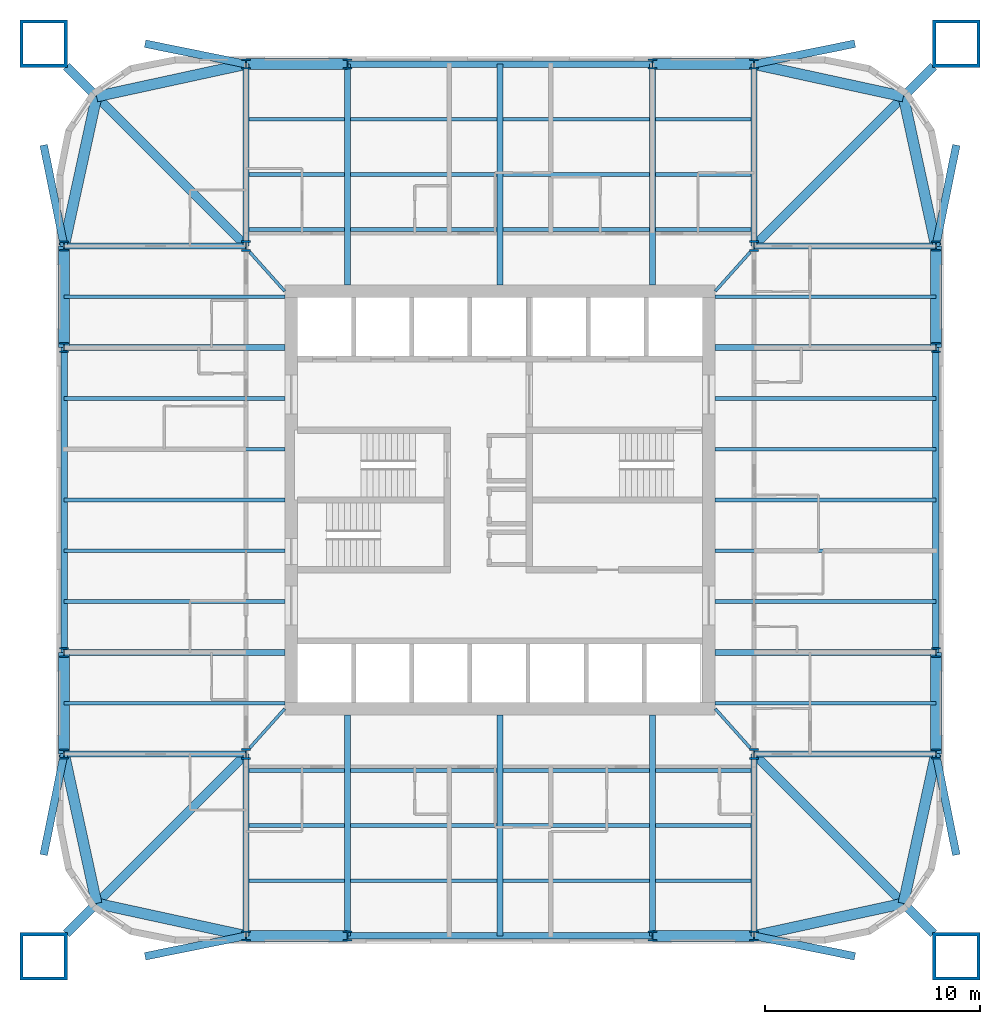
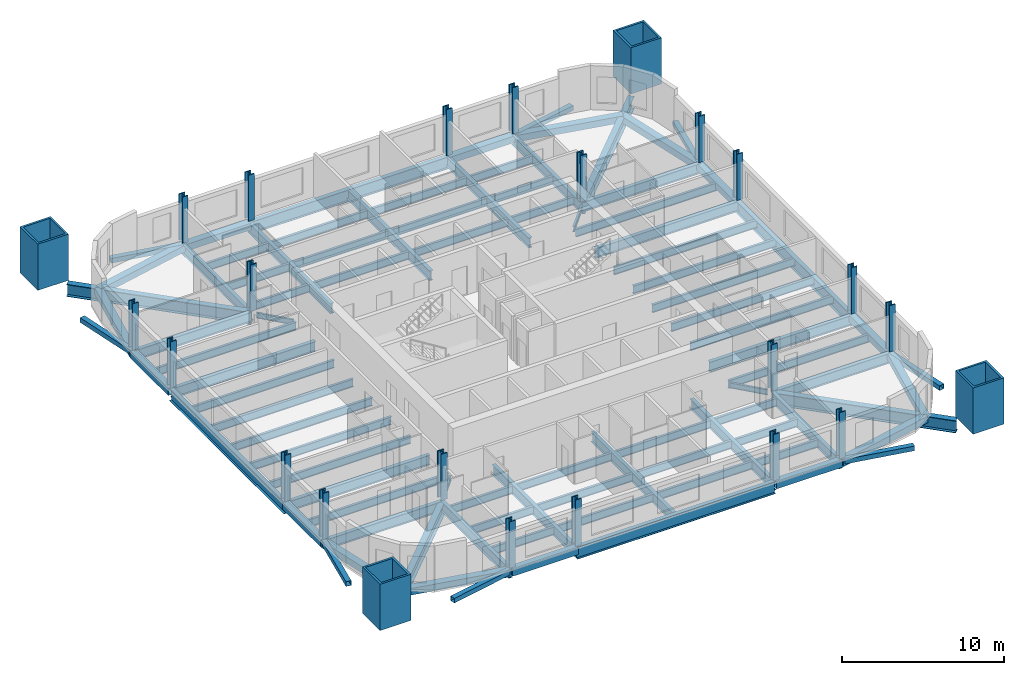
# One storey, part 1 of 9: 92 beams, 24 columns.
"""IFC4 building model written with IfcOpenShell, lengths in metres."""

from ifc_helpers import new_model, si_unit, direction, frame, origin, origin_2d, place, context, subcontext, project, spatial, hollow_rectangle, i_section, extrude, material, material_profile, profile_set, type_object, element, save


model = new_model("IFC4")

# Units and contexts
model_context = context("Model", 3, precision=1e-05, world=origin(), true_north=direction((0.0, 1.0)))
body_context = subcontext(model_context, "Body", "Model", "MODEL_VIEW")
ifc_project = project(units=[si_unit("LENGTHUNIT", "METRE"), si_unit("AREAUNIT", "SQUARE_METRE"), si_unit("VOLUMEUNIT", "CUBIC_METRE"), si_unit("PLANEANGLEUNIT", "RADIAN"), si_unit("MASSUNIT", "GRAM", prefix="KILO")], contexts=[model_context])

# Site, building, storey
site_placement = place(None, origin())
site = spatial("IfcSite", under=ifc_project, at=site_placement, CompositionType="ELEMENT")
building_placement = place(site_placement, origin())
building = spatial("IfcBuilding", under=site, at=building_placement, Name="Turquesa Mirador Hotel Tower", CompositionType="ELEMENT")
storey_placement = place(building_placement, frame((0.0, 0.0, 100.39990234375)))
storey = spatial("IfcBuildingStorey", under=building, at=storey_placement, Name="L26", CompositionType="ELEMENT", Elevation=100.39990234375)

# Columns
ifc_material_1 = material(Name="Steel ASTM A992 Grade 50", Category="steel")
ifc_material_profile_1 = material_profile(ifc_material_1, i_section(OverallWidth=0.421630859375, OverallDepth=0.46484375, WebThickness=0.044921875, FlangeThickness=0.072509765625, at=origin_2d()), Name="W14X398")
ifc_profile_set_1 = profile_set([ifc_material_profile_1], Name="Steel ASTM A992 Grade 50")
column_type_1 = type_object("IfcColumnType", Name="COLUMN W14X398", PredefinedType="COLUMN", material=ifc_profile_set_1)
for number, where, z_axis, x_axis, name in (
    (1, (34.75, 33.199951171875, 0.0), (0.0, 0.0, 1.0), (1.0, 0.0, 0.0), "COL-L26-P--20.25--11.80"),
    (2, (34.75, 37.919921875, 0.0), (0.0, 0.0, 1.0), (1.0, 0.0, 0.0), "COL-L26-P--20.25--7.08"),
    (3, (34.75, 52.080078125, 0.0), (0.0, 0.0, 1.0), (1.0, 0.0, 0.0), "COL-L26-P--20.25-+7.08"),
    (4, (34.75, 56.800048828125, 0.0), (0.0, 0.0, 1.0), (1.0, 0.0, 0.0), "COL-L26-P--20.25-+11.80"),
    (5, (43.199951171875, 24.75, 0.0), (0.0, 0.0, 1.0), (1.0, 0.0, 0.0), "COL-L26-P--11.80--20.25"),
    (6, (43.199951171875, 65.25, 0.0), (0.0, 0.0, 1.0), (1.0, 0.0, 0.0), "COL-L26-P--11.80-+20.25"),
    (7, (47.919921875, 24.75, 0.0), (0.0, 0.0, 1.0), (1.0, 0.0, 0.0), "COL-L26-P--7.08--20.25"),
    (8, (47.919921875, 65.25, 0.0), (0.0, 0.0, 1.0), (1.0, 0.0, 0.0), "COL-L26-P--7.08-+20.25"),
    (9, (62.080078125, 24.75, 0.0), (0.0, 0.0, 1.0), (1.0, 0.0, 0.0), "COL-L26-P-+7.08--20.25"),
    (10, (62.080078125, 65.25, 0.0), (0.0, 0.0, 1.0), (1.0, 0.0, 0.0), "COL-L26-P-+7.08-+20.25"),
    (11, (66.800048828125, 24.75, 0.0), (0.0, 0.0, 1.0), (1.0, 0.0, 0.0), "COL-L26-P-+11.80--20.25"),
    (12, (66.800048828125, 65.25, 0.0), (0.0, 0.0, 1.0), (1.0, 0.0, 0.0), "COL-L26-P-+11.80-+20.25"),
    (13, (75.25, 33.199951171875, 0.0), (0.0, 0.0, 1.0), (1.0, 0.0, 0.0), "COL-L26-P-+20.25--11.80"),
    (14, (75.25, 37.919921875, 0.0), (0.0, 0.0, 1.0), (1.0, 0.0, 0.0), "COL-L26-P-+20.25--7.08"),
    (15, (75.25, 52.080078125, 0.0), (0.0, 0.0, 1.0), (1.0, 0.0, 0.0), "COL-L26-P-+20.25-+7.08"),
    (16, (75.25, 56.800048828125, 0.0), (0.0, 0.0, 1.0), (1.0, 0.0, 0.0), "COL-L26-P-+20.25-+11.80"),
):
    element("IfcColumn", number, at=place(storey_placement, frame(where, z_axis=z_axis, x_axis=x_axis)), inside=storey, type_object=column_type_1, Name=name, PredefinedType="COLUMN", context=body_context, shape_type="SweptSolid", body=[
        extrude(i_section(OverallWidth=0.421630859375, OverallDepth=0.46484375, WebThickness=0.044921875, FlangeThickness=0.072509765625, at=origin_2d()), origin(), (0.0, 0.0, 1.0), 3.5),
    ])
ifc_material_2 = material(Name="Steel ASTM A992 Grade 50", Category="steel")
ifc_material_profile_2 = material_profile(ifc_material_2, i_section(OverallWidth=0.431884765625, OverallDepth=0.497802734375, WebThickness=0.0556640625, FlangeThickness=0.0888671875, at=origin_2d()), Name="W14X500")
ifc_profile_set_2 = profile_set([ifc_material_profile_2], Name="Steel ASTM A992 Grade 50")
column_type_2 = type_object("IfcColumnType", Name="COLUMN W14X500", PredefinedType="COLUMN", material=ifc_profile_set_2)
for number, where, z_axis, x_axis, name in (
    (17, (43.199951171875, 33.199951171875, 0.0), (0.0, 0.0, 1.0), (1.0, 0.0, 0.0), "COL-L26-K--11.80--11.80"),
    (18, (43.199951171875, 56.800048828125, 0.0), (0.0, 0.0, 1.0), (1.0, 0.0, 0.0), "COL-L26-K--11.80-+11.80"),
    (19, (66.800048828125, 33.199951171875, 0.0), (0.0, 0.0, 1.0), (1.0, 0.0, 0.0), "COL-L26-K-+11.80--11.80"),
    (20, (66.800048828125, 56.800048828125, 0.0), (0.0, 0.0, 1.0), (1.0, 0.0, 0.0), "COL-L26-K-+11.80-+11.80"),
):
    element("IfcColumn", number, at=place(storey_placement, frame(where, z_axis=z_axis, x_axis=x_axis)), inside=storey, type_object=column_type_2, Name=name, PredefinedType="COLUMN", context=body_context, shape_type="SweptSolid", body=[
        extrude(i_section(OverallWidth=0.431884765625, OverallDepth=0.497802734375, WebThickness=0.0556640625, FlangeThickness=0.0888671875, at=origin_2d()), origin(), (0.0, 0.0, 1.0), 3.5),
    ])
ifc_material_3 = material(Name="Steel ASTM A514 Grade Q", Category="steel")
ifc_material_profile_3 = material_profile(ifc_material_3, hollow_rectangle(XDim=2.199951171875, YDim=2.199951171875, WallThickness=0.14990234375, at=origin_2d()), Name="BOX2200X2200X150")
ifc_profile_set_3 = profile_set([ifc_material_profile_3], Name="Steel ASTM A514 Grade Q")
column_type_3 = type_object("IfcColumnType", Name="MEGA COLUMN BOX2200X2200X150", PredefinedType="COLUMN", material=ifc_profile_set_3)
for number, where, z_axis, x_axis, name in (
    (21, (76.199951171875, 66.199951171875, 0.0), (0.0, 0.0, 1.0), (1.0, 0.0, 0.0), "Mega column M1"),
    (22, (33.800048828125, 66.199951171875, 0.0), (0.0, 0.0, 1.0), (1.0, 0.0, 0.0), "Mega column M2"),
    (23, (33.800048828125, 23.800048828125, 0.0), (0.0, 0.0, 1.0), (1.0, 0.0, 0.0), "Mega column M3"),
    (24, (76.199951171875, 23.800048828125, 0.0), (0.0, 0.0, 1.0), (1.0, 0.0, 0.0), "Mega column M4"),
):
    element("IfcColumn", number, at=place(storey_placement, frame(where, z_axis=z_axis, x_axis=x_axis)), inside=storey, type_object=column_type_3, Name=name, PredefinedType="COLUMN", context=body_context, shape_type="SweptSolid", body=[
        extrude(hollow_rectangle(XDim=2.199951171875, YDim=2.199951171875, WallThickness=0.14990234375, at=origin_2d()), origin(), (0.0, 0.0, 1.0), 3.5),
    ])

# Beams
ifc_material_4 = material(Name="Steel ASTM A572 Grade 50", Category="steel")
ifc_material_profile_4 = material_profile(ifc_material_4, hollow_rectangle(XDim=0.5, YDim=0.5, WallThickness=0.01611328125, at=origin_2d()), Name="BOX500X500X16")
ifc_profile_set_4 = profile_set([ifc_material_profile_4], Name="Steel ASTM A572 Grade 50")
beam_type_1 = type_object("IfcBeamType", Name="BEAM BOX500X500X16", PredefinedType="BEAM", material=ifc_profile_set_4)
for number, where, z_axis, x_axis, name in (
    (25, (43.199951171875, 65.25, -0.419921875), (1.0, 0.0, 0.0), (0.0, 1.0, 0.0), "EB-L26-N-L"),
    (26, (62.080078125, 65.25, -0.419921875), (1.0, 0.0, 0.0), (0.0, 1.0, 0.0), "EB-L26-N-R"),
    (27, (43.199951171875, 24.75, -0.419921875), (1.0, 0.0, 0.0), (0.0, 1.0, 0.0), "EB-L26-S-L"),
    (28, (62.080078125, 24.75, -0.419921875), (1.0, 0.0, 0.0), (0.0, 1.0, 0.0), "EB-L26-S-R"),
    (29, (75.25, 33.199951171875, -0.419921875), (0.0, 1.0, 0.0), (-1.0, 0.0, 0.0), "EB-L26-E-L"),
    (30, (75.25, 52.080078125, -0.419921875), (0.0, 1.0, 0.0), (-1.0, 0.0, 0.0), "EB-L26-E-R"),
    (31, (34.75, 33.199951171875, -0.419921875), (0.0, 1.0, 0.0), (-1.0, 0.0, 0.0), "EB-L26-W-L"),
    (32, (34.75, 52.080078125, -0.419921875), (0.0, 1.0, 0.0), (-1.0, 0.0, 0.0), "EB-L26-W-R"),
):
    element("IfcBeam", number, at=place(storey_placement, frame(where, z_axis=z_axis, x_axis=x_axis)), inside=storey, type_object=beam_type_1, Name=name, PredefinedType="BEAM", context=body_context, shape_type="SweptSolid", body=[
        extrude(hollow_rectangle(XDim=0.5, YDim=0.5, WallThickness=0.01611328125, at=origin_2d()), origin(), (0.0, 0.0, 1.0), 4.719970703125),
    ])
for number, where, z_axis, x_axis, name in (
    (33, (75.25, 56.800048828125, -0.419921875), (-0.212328336885, 0.977198381781, 0.0), (-0.977198381781, -0.212328336885, 0.0), "KE-L26-1-0"),
    (34, (73.74169921875, 63.74169921875, -0.419921875), (-0.977198381781, 0.212328336885, 0.0), (-0.212328336885, -0.977198381781, 0.0), "KE-L26-1-1"),
    (35, (34.75, 56.800048828125, -0.419921875), (0.212328336885, 0.977198381781, 0.0), (-0.977198381781, 0.212328336885, 0.0), "KE-L26-2-0"),
    (36, (36.25830078125, 63.74169921875, -0.419921875), (0.977198381781, 0.212328336885, 0.0), (-0.212328336885, 0.977198381781, 0.0), "KE-L26-2-1"),
    (37, (34.75, 33.199951171875, -0.419921875), (0.212328336885, -0.977198381781, 0.0), (0.977198381781, 0.212328336885, 0.0), "KE-L26-3-0"),
    (38, (36.25830078125, 26.25830078125, -0.419921875), (0.977198381781, -0.212328336885, 0.0), (0.212328336885, 0.977198381781, 0.0), "KE-L26-3-1"),
    (39, (75.25, 33.199951171875, -0.419921875), (-0.212328336885, -0.977198381781, 0.0), (0.977198381781, -0.212328336885, 0.0), "KE-L26-4-0"),
    (40, (73.74169921875, 26.25830078125, -0.419921875), (-0.977198381781, -0.212328336885, 0.0), (0.212328336885, -0.977198381781, 0.0), "KE-L26-4-1"),
):
    element("IfcBeam", number, at=place(storey_placement, frame(where, z_axis=z_axis, x_axis=x_axis)), inside=storey, type_object=beam_type_1, Name=name, PredefinedType="BEAM", context=body_context, shape_type="SweptSolid", body=[
        extrude(hollow_rectangle(XDim=0.5, YDim=0.5, WallThickness=0.01611328125, at=origin_2d()), origin(), (0.0, 0.0, 1.0), 7.103515625),
    ])
ifc_material_5 = material(Name="Steel ASTM A992 Grade 50", Category="steel")
ifc_material_profile_5 = material_profile(ifc_material_5, i_section(OverallWidth=0.140380859375, OverallDepth=0.40380859375, WebThickness=0.007080078125, FlangeThickness=0.01123046875, at=origin_2d()), Name="W16X31")
ifc_profile_set_5 = profile_set([ifc_material_profile_5], Name="Steel ASTM A992 Grade 50")
beam_type_2 = type_object("IfcBeamType", Name="BEAM W16X31", PredefinedType="BEAM", material=ifc_profile_set_5)
for number, where, z_axis, x_axis, name in (
    (41, (66.626953125, 56.518310546875, -0.371826171875), (-0.66679485947, -0.745241313525, 0.0), (0.745241313525, -0.66679485947, 0.0), "KT-L26-1"),
    (42, (43.373046875, 56.518310546875, -0.371826171875), (0.66679485947, -0.745241313525, 0.0), (0.745241313525, 0.66679485947, 0.0), "KT-L26-2"),
    (43, (43.373046875, 33.481689453125, -0.371826171875), (0.66679485947, 0.745241313525, 0.0), (-0.745241313525, 0.66679485947, 0.0), "KT-L26-3"),
    (44, (66.626953125, 33.481689453125, -0.371826171875), (-0.66679485947, 0.745241313525, 0.0), (-0.745241313525, -0.66679485947, 0.0), "KT-L26-4"),
):
    element("IfcBeam", number, at=place(storey_placement, frame(where, z_axis=z_axis, x_axis=x_axis)), inside=storey, type_object=beam_type_2, Name=name, PredefinedType="BEAM", context=body_context, shape_type="SweptSolid", body=[
        extrude(i_section(OverallWidth=0.140380859375, OverallDepth=0.40380859375, WebThickness=0.007080078125, FlangeThickness=0.01123046875, at=origin_2d()), origin(), (0.0, 0.0, 1.0), 2.43994140625),
    ])
ifc_material_6 = material(Name="Steel ASTM A992 Grade 50", Category="steel")
ifc_material_profile_6 = material_profile(ifc_material_6, i_section(OverallWidth=0.177978515625, OverallDepth=0.599365234375, WebThickness=0.010009765625, FlangeThickness=0.012939453125, at=origin_2d()), Name="W24X55")
ifc_profile_set_6 = profile_set([ifc_material_profile_6], Name="Steel ASTM A992 Grade 50")
beam_type_3 = type_object("IfcBeamType", Name="BEAM W24X55", PredefinedType="BEAM", material=ifc_profile_set_6)
beam_1_placement = place(storey_placement, frame((43.333251953125, 57.56201171875, -0.4697265625), z_axis=(1.0, 0.0, 0.0), x_axis=(0.0, 1.0, 0.0)))
element("IfcBeam", 45, at=beam_1_placement, inside=storey, type_object=beam_type_3, Name="IB-L26-N-1-0", PredefinedType="BEAM", context=body_context, shape_type="SweptSolid", body=[
    extrude(i_section(OverallWidth=0.177978515625, OverallDepth=0.599365234375, WebThickness=0.010009765625, FlangeThickness=0.012939453125, at=origin_2d()), origin(), (0.0, 0.0, 1.0), 4.453369140625),
])
for number, where, z_axis, x_axis, name in (
    (46, (48.053466796875, 57.56201171875, -0.4697265625), (1.0, 0.0, 0.0), (0.0, 1.0, 0.0), "IB-L26-N-1-1"),
    (47, (55.13330078125, 57.56201171875, -0.4697265625), (1.0, 0.0, 0.0), (0.0, 1.0, 0.0), "IB-L26-N-1-2"),
):
    element("IfcBeam", number, at=place(storey_placement, frame(where, z_axis=z_axis, x_axis=x_axis)), inside=storey, type_object=beam_type_3, Name=name, PredefinedType="BEAM", context=body_context, shape_type="SweptSolid", body=[
        extrude(i_section(OverallWidth=0.177978515625, OverallDepth=0.599365234375, WebThickness=0.010009765625, FlangeThickness=0.012939453125, at=origin_2d()), origin(), (0.0, 0.0, 1.0), 6.813232421875),
    ])
for number, where, z_axis, x_axis, name in (
    (48, (62.21337890625, 57.56201171875, -0.4697265625), (1.0, 0.0, 0.0), (0.0, 1.0, 0.0), "IB-L26-N-1-3"),
    (49, (43.333251953125, 60.125, -0.4697265625), (1.0, 0.0, 0.0), (0.0, 1.0, 0.0), "IB-L26-N-2-0"),
):
    element("IfcBeam", number, at=place(storey_placement, frame(where, z_axis=z_axis, x_axis=x_axis)), inside=storey, type_object=beam_type_3, Name=name, PredefinedType="BEAM", context=body_context, shape_type="SweptSolid", body=[
        extrude(i_section(OverallWidth=0.177978515625, OverallDepth=0.599365234375, WebThickness=0.010009765625, FlangeThickness=0.012939453125, at=origin_2d()), origin(), (0.0, 0.0, 1.0), 4.453369140625),
    ])
for number, where, z_axis, x_axis, name in (
    (50, (48.053466796875, 60.125, -0.4697265625), (1.0, 0.0, 0.0), (0.0, 1.0, 0.0), "IB-L26-N-2-1"),
    (51, (55.13330078125, 60.125, -0.4697265625), (1.0, 0.0, 0.0), (0.0, 1.0, 0.0), "IB-L26-N-2-2"),
):
    element("IfcBeam", number, at=place(storey_placement, frame(where, z_axis=z_axis, x_axis=x_axis)), inside=storey, type_object=beam_type_3, Name=name, PredefinedType="BEAM", context=body_context, shape_type="SweptSolid", body=[
        extrude(i_section(OverallWidth=0.177978515625, OverallDepth=0.599365234375, WebThickness=0.010009765625, FlangeThickness=0.012939453125, at=origin_2d()), origin(), (0.0, 0.0, 1.0), 6.813232421875),
    ])
for number, where, z_axis, x_axis, name in (
    (52, (62.21337890625, 60.125, -0.4697265625), (1.0, 0.0, 0.0), (0.0, 1.0, 0.0), "IB-L26-N-2-3"),
    (53, (43.333251953125, 62.68798828125, -0.4697265625), (1.0, 0.0, 0.0), (0.0, 1.0, 0.0), "IB-L26-N-3-0"),
):
    element("IfcBeam", number, at=place(storey_placement, frame(where, z_axis=z_axis, x_axis=x_axis)), inside=storey, type_object=beam_type_3, Name=name, PredefinedType="BEAM", context=body_context, shape_type="SweptSolid", body=[
        extrude(i_section(OverallWidth=0.177978515625, OverallDepth=0.599365234375, WebThickness=0.010009765625, FlangeThickness=0.012939453125, at=origin_2d()), origin(), (0.0, 0.0, 1.0), 4.453369140625),
    ])
for number, where, z_axis, x_axis, name in (
    (54, (48.053466796875, 62.68798828125, -0.4697265625), (1.0, 0.0, 0.0), (0.0, 1.0, 0.0), "IB-L26-N-3-1"),
    (55, (55.13330078125, 62.68798828125, -0.4697265625), (1.0, 0.0, 0.0), (0.0, 1.0, 0.0), "IB-L26-N-3-2"),
):
    element("IfcBeam", number, at=place(storey_placement, frame(where, z_axis=z_axis, x_axis=x_axis)), inside=storey, type_object=beam_type_3, Name=name, PredefinedType="BEAM", context=body_context, shape_type="SweptSolid", body=[
        extrude(i_section(OverallWidth=0.177978515625, OverallDepth=0.599365234375, WebThickness=0.010009765625, FlangeThickness=0.012939453125, at=origin_2d()), origin(), (0.0, 0.0, 1.0), 6.813232421875),
    ])
for number, where, z_axis, x_axis, name in (
    (56, (62.21337890625, 62.68798828125, -0.4697265625), (1.0, 0.0, 0.0), (0.0, 1.0, 0.0), "IB-L26-N-3-3"),
    (57, (43.333251953125, 32.43798828125, -0.4697265625), (1.0, 0.0, 0.0), (0.0, 1.0, 0.0), "IB-L26-S-1-0"),
):
    element("IfcBeam", number, at=place(storey_placement, frame(where, z_axis=z_axis, x_axis=x_axis)), inside=storey, type_object=beam_type_3, Name=name, PredefinedType="BEAM", context=body_context, shape_type="SweptSolid", body=[
        extrude(i_section(OverallWidth=0.177978515625, OverallDepth=0.599365234375, WebThickness=0.010009765625, FlangeThickness=0.012939453125, at=origin_2d()), origin(), (0.0, 0.0, 1.0), 4.453369140625),
    ])
for number, where, z_axis, x_axis, name in (
    (58, (48.053466796875, 32.43798828125, -0.4697265625), (1.0, 0.0, 0.0), (0.0, 1.0, 0.0), "IB-L26-S-1-1"),
    (59, (55.13330078125, 32.43798828125, -0.4697265625), (1.0, 0.0, 0.0), (0.0, 1.0, 0.0), "IB-L26-S-1-2"),
):
    element("IfcBeam", number, at=place(storey_placement, frame(where, z_axis=z_axis, x_axis=x_axis)), inside=storey, type_object=beam_type_3, Name=name, PredefinedType="BEAM", context=body_context, shape_type="SweptSolid", body=[
        extrude(i_section(OverallWidth=0.177978515625, OverallDepth=0.599365234375, WebThickness=0.010009765625, FlangeThickness=0.012939453125, at=origin_2d()), origin(), (0.0, 0.0, 1.0), 6.813232421875),
    ])
for number, where, z_axis, x_axis, name in (
    (60, (62.21337890625, 32.43798828125, -0.4697265625), (1.0, 0.0, 0.0), (0.0, 1.0, 0.0), "IB-L26-S-1-3"),
    (61, (43.333251953125, 29.875, -0.4697265625), (1.0, 0.0, 0.0), (0.0, 1.0, 0.0), "IB-L26-S-2-0"),
):
    element("IfcBeam", number, at=place(storey_placement, frame(where, z_axis=z_axis, x_axis=x_axis)), inside=storey, type_object=beam_type_3, Name=name, PredefinedType="BEAM", context=body_context, shape_type="SweptSolid", body=[
        extrude(i_section(OverallWidth=0.177978515625, OverallDepth=0.599365234375, WebThickness=0.010009765625, FlangeThickness=0.012939453125, at=origin_2d()), origin(), (0.0, 0.0, 1.0), 4.453369140625),
    ])
for number, where, z_axis, x_axis, name in (
    (62, (48.053466796875, 29.875, -0.4697265625), (1.0, 0.0, 0.0), (0.0, 1.0, 0.0), "IB-L26-S-2-1"),
    (63, (55.13330078125, 29.875, -0.4697265625), (1.0, 0.0, 0.0), (0.0, 1.0, 0.0), "IB-L26-S-2-2"),
):
    element("IfcBeam", number, at=place(storey_placement, frame(where, z_axis=z_axis, x_axis=x_axis)), inside=storey, type_object=beam_type_3, Name=name, PredefinedType="BEAM", context=body_context, shape_type="SweptSolid", body=[
        extrude(i_section(OverallWidth=0.177978515625, OverallDepth=0.599365234375, WebThickness=0.010009765625, FlangeThickness=0.012939453125, at=origin_2d()), origin(), (0.0, 0.0, 1.0), 6.813232421875),
    ])
for number, where, z_axis, x_axis, name in (
    (64, (62.21337890625, 29.875, -0.4697265625), (1.0, 0.0, 0.0), (0.0, 1.0, 0.0), "IB-L26-S-2-3"),
    (65, (43.333251953125, 27.31201171875, -0.4697265625), (1.0, 0.0, 0.0), (0.0, 1.0, 0.0), "IB-L26-S-3-0"),
):
    element("IfcBeam", number, at=place(storey_placement, frame(where, z_axis=z_axis, x_axis=x_axis)), inside=storey, type_object=beam_type_3, Name=name, PredefinedType="BEAM", context=body_context, shape_type="SweptSolid", body=[
        extrude(i_section(OverallWidth=0.177978515625, OverallDepth=0.599365234375, WebThickness=0.010009765625, FlangeThickness=0.012939453125, at=origin_2d()), origin(), (0.0, 0.0, 1.0), 4.453369140625),
    ])
for number, where, z_axis, x_axis, name in (
    (66, (48.053466796875, 27.31201171875, -0.4697265625), (1.0, 0.0, 0.0), (0.0, 1.0, 0.0), "IB-L26-S-3-1"),
    (67, (55.13330078125, 27.31201171875, -0.4697265625), (1.0, 0.0, 0.0), (0.0, 1.0, 0.0), "IB-L26-S-3-2"),
):
    element("IfcBeam", number, at=place(storey_placement, frame(where, z_axis=z_axis, x_axis=x_axis)), inside=storey, type_object=beam_type_3, Name=name, PredefinedType="BEAM", context=body_context, shape_type="SweptSolid", body=[
        extrude(i_section(OverallWidth=0.177978515625, OverallDepth=0.599365234375, WebThickness=0.010009765625, FlangeThickness=0.012939453125, at=origin_2d()), origin(), (0.0, 0.0, 1.0), 6.813232421875),
    ])
beam_2_placement = place(storey_placement, frame((62.21337890625, 27.31201171875, -0.4697265625), z_axis=(1.0, 0.0, 0.0), x_axis=(0.0, 1.0, 0.0)))
element("IfcBeam", 68, at=beam_2_placement, inside=storey, type_object=beam_type_3, Name="IB-L26-S-3-3", PredefinedType="BEAM", context=body_context, shape_type="SweptSolid", body=[
    extrude(i_section(OverallWidth=0.177978515625, OverallDepth=0.599365234375, WebThickness=0.010009765625, FlangeThickness=0.012939453125, at=origin_2d()), origin(), (0.0, 0.0, 1.0), 4.453369140625),
])
for number, where, z_axis, x_axis, name in (
    (69, (75.25, 35.56005859375, -0.4697265625), (-1.0, 0.0, 0.0), (0.0, -1.0, 0.0), "BM-L26-E--9.44"),
    (70, (75.25, 40.280029296875, -0.4697265625), (-1.0, 0.0, 0.0), (0.0, -1.0, 0.0), "BM-L26-E--4.72"),
    (71, (75.25, 42.639892578125, -0.4697265625), (-1.0, 0.0, 0.0), (0.0, -1.0, 0.0), "BM-L26-E--2.36"),
    (72, (75.25, 45.0, -0.4697265625), (-1.0, 0.0, 0.0), (0.0, -1.0, 0.0), "BM-L26-E-+0.00"),
    (73, (75.25, 47.360107421875, -0.4697265625), (-1.0, 0.0, 0.0), (0.0, -1.0, 0.0), "BM-L26-E-+2.36"),
    (74, (75.25, 49.719970703125, -0.4697265625), (-1.0, 0.0, 0.0), (0.0, -1.0, 0.0), "BM-L26-E-+4.72"),
    (75, (75.25, 54.43994140625, -0.4697265625), (-1.0, 0.0, 0.0), (0.0, -1.0, 0.0), "BM-L26-E-+9.44"),
    (76, (34.75, 35.56005859375, -0.4697265625), (1.0, 0.0, 0.0), (0.0, 1.0, 0.0), "BM-L26-W--9.44"),
    (77, (34.75, 40.280029296875, -0.4697265625), (1.0, 0.0, 0.0), (0.0, 1.0, 0.0), "BM-L26-W--4.72"),
    (78, (34.75, 42.639892578125, -0.4697265625), (1.0, 0.0, 0.0), (0.0, 1.0, 0.0), "BM-L26-W--2.36"),
    (79, (34.75, 45.0, -0.4697265625), (1.0, 0.0, 0.0), (0.0, 1.0, 0.0), "BM-L26-W-+0.00"),
    (80, (34.75, 47.360107421875, -0.4697265625), (1.0, 0.0, 0.0), (0.0, 1.0, 0.0), "BM-L26-W-+2.36"),
    (81, (34.75, 49.719970703125, -0.4697265625), (1.0, 0.0, 0.0), (0.0, 1.0, 0.0), "BM-L26-W-+4.72"),
    (82, (34.75, 54.43994140625, -0.4697265625), (1.0, 0.0, 0.0), (0.0, 1.0, 0.0), "BM-L26-W-+9.44"),
):
    element("IfcBeam", number, at=place(storey_placement, frame(where, z_axis=z_axis, x_axis=x_axis)), inside=storey, type_object=beam_type_3, Name=name, PredefinedType="BEAM", context=body_context, shape_type="SweptSolid", body=[
        extrude(i_section(OverallWidth=0.177978515625, OverallDepth=0.599365234375, WebThickness=0.010009765625, FlangeThickness=0.012939453125, at=origin_2d()), origin(), (0.0, 0.0, 1.0), 10.25),
    ])
ifc_material_7 = material(Name="Steel ASTM A992 Grade 50", Category="steel")
ifc_material_profile_7 = material_profile(ifc_material_7, i_section(OverallWidth=0.2666015625, OverallDepth=0.7568359375, WebThickness=0.013916015625, FlangeThickness=0.019287109375, at=origin_2d()), Name="W30X108")
ifc_profile_set_7 = profile_set([ifc_material_profile_7], Name="Steel ASTM A992 Grade 50")
beam_type_4 = type_object("IfcBeamType", Name="BEAM W30X108", PredefinedType="BEAM", material=ifc_profile_set_7)
for number, where, z_axis, x_axis, name in (
    (83, (47.919921875, 65.25, -0.54833984375), (0.0, -1.0, 0.0), (1.0, 0.0, 0.0), "GD-L26-N--7.08"),
    (84, (62.080078125, 65.25, -0.54833984375), (0.0, -1.0, 0.0), (1.0, 0.0, 0.0), "GD-L26-N-+7.08"),
    (85, (55.0, 65.25, -0.54833984375), (0.0, -1.0, 0.0), (1.0, 0.0, 0.0), "GD-L26-N-+0.00"),
):
    element("IfcBeam", number, at=place(storey_placement, frame(where, z_axis=z_axis, x_axis=x_axis)), inside=storey, type_object=beam_type_4, Name=name, PredefinedType="BEAM", context=body_context, shape_type="SweptSolid", body=[
        extrude(i_section(OverallWidth=0.2666015625, OverallDepth=0.7568359375, WebThickness=0.013916015625, FlangeThickness=0.019287109375, at=origin_2d()), origin(), (0.0, 0.0, 1.0), 10.25),
    ])
for number, where, z_axis, x_axis, name in (
    (86, (43.199951171875, 65.25, -0.54833984375), (0.0, -1.0, 0.0), (1.0, 0.0, 0.0), "GK-L26-N--11.80"),
    (87, (66.800048828125, 65.25, -0.54833984375), (0.0, -1.0, 0.0), (1.0, 0.0, 0.0), "GK-L26-N-+11.80"),
):
    element("IfcBeam", number, at=place(storey_placement, frame(where, z_axis=z_axis, x_axis=x_axis)), inside=storey, type_object=beam_type_4, Name=name, PredefinedType="BEAM", context=body_context, shape_type="SweptSolid", body=[
        extrude(i_section(OverallWidth=0.2666015625, OverallDepth=0.7568359375, WebThickness=0.013916015625, FlangeThickness=0.019287109375, at=origin_2d()), origin(), (0.0, 0.0, 1.0), 8.449951171875),
    ])
for number, where, z_axis, x_axis, name in (
    (88, (47.919921875, 24.75, -0.54833984375), (0.0, 1.0, 0.0), (-1.0, 0.0, 0.0), "GD-L26-S--7.08"),
    (89, (62.080078125, 24.75, -0.54833984375), (0.0, 1.0, 0.0), (-1.0, 0.0, 0.0), "GD-L26-S-+7.08"),
    (90, (55.0, 24.75, -0.54833984375), (0.0, 1.0, 0.0), (-1.0, 0.0, 0.0), "GD-L26-S-+0.00"),
):
    element("IfcBeam", number, at=place(storey_placement, frame(where, z_axis=z_axis, x_axis=x_axis)), inside=storey, type_object=beam_type_4, Name=name, PredefinedType="BEAM", context=body_context, shape_type="SweptSolid", body=[
        extrude(i_section(OverallWidth=0.2666015625, OverallDepth=0.7568359375, WebThickness=0.013916015625, FlangeThickness=0.019287109375, at=origin_2d()), origin(), (0.0, 0.0, 1.0), 10.25),
    ])
for number, where, z_axis, x_axis, name in (
    (91, (43.199951171875, 24.75, -0.54833984375), (0.0, 1.0, 0.0), (-1.0, 0.0, 0.0), "GK-L26-S--11.80"),
    (92, (66.800048828125, 24.75, -0.54833984375), (0.0, 1.0, 0.0), (-1.0, 0.0, 0.0), "GK-L26-S-+11.80"),
):
    element("IfcBeam", number, at=place(storey_placement, frame(where, z_axis=z_axis, x_axis=x_axis)), inside=storey, type_object=beam_type_4, Name=name, PredefinedType="BEAM", context=body_context, shape_type="SweptSolid", body=[
        extrude(i_section(OverallWidth=0.2666015625, OverallDepth=0.7568359375, WebThickness=0.013916015625, FlangeThickness=0.019287109375, at=origin_2d()), origin(), (0.0, 0.0, 1.0), 8.449951171875),
    ])
for number, where, z_axis, x_axis, name in (
    (93, (75.25, 37.919921875, -0.54833984375), (-1.0, 0.0, 0.0), (0.0, -1.0, 0.0), "GD-L26-E--7.08"),
    (94, (75.25, 52.080078125, -0.54833984375), (-1.0, 0.0, 0.0), (0.0, -1.0, 0.0), "GD-L26-E-+7.08"),
):
    element("IfcBeam", number, at=place(storey_placement, frame(where, z_axis=z_axis, x_axis=x_axis)), inside=storey, type_object=beam_type_4, Name=name, PredefinedType="BEAM", context=body_context, shape_type="SweptSolid", body=[
        extrude(i_section(OverallWidth=0.2666015625, OverallDepth=0.7568359375, WebThickness=0.013916015625, FlangeThickness=0.019287109375, at=origin_2d()), origin(), (0.0, 0.0, 1.0), 10.25),
    ])
for number, where, z_axis, x_axis, name in (
    (95, (75.25, 33.199951171875, -0.54833984375), (-1.0, 0.0, 0.0), (0.0, -1.0, 0.0), "GK-L26-E--11.80"),
    (96, (75.25, 56.800048828125, -0.54833984375), (-1.0, 0.0, 0.0), (0.0, -1.0, 0.0), "GK-L26-E-+11.80"),
):
    element("IfcBeam", number, at=place(storey_placement, frame(where, z_axis=z_axis, x_axis=x_axis)), inside=storey, type_object=beam_type_4, Name=name, PredefinedType="BEAM", context=body_context, shape_type="SweptSolid", body=[
        extrude(i_section(OverallWidth=0.2666015625, OverallDepth=0.7568359375, WebThickness=0.013916015625, FlangeThickness=0.019287109375, at=origin_2d()), origin(), (0.0, 0.0, 1.0), 8.449951171875),
    ])
for number, where, z_axis, x_axis, name in (
    (97, (34.75, 37.919921875, -0.54833984375), (1.0, 0.0, 0.0), (0.0, 1.0, 0.0), "GD-L26-W--7.08"),
    (98, (34.75, 52.080078125, -0.54833984375), (1.0, 0.0, 0.0), (0.0, 1.0, 0.0), "GD-L26-W-+7.08"),
):
    element("IfcBeam", number, at=place(storey_placement, frame(where, z_axis=z_axis, x_axis=x_axis)), inside=storey, type_object=beam_type_4, Name=name, PredefinedType="BEAM", context=body_context, shape_type="SweptSolid", body=[
        extrude(i_section(OverallWidth=0.2666015625, OverallDepth=0.7568359375, WebThickness=0.013916015625, FlangeThickness=0.019287109375, at=origin_2d()), origin(), (0.0, 0.0, 1.0), 10.25),
    ])
for number, where, z_axis, x_axis, name in (
    (99, (34.75, 33.199951171875, -0.54833984375), (1.0, 0.0, 0.0), (0.0, 1.0, 0.0), "GK-L26-W--11.80"),
    (100, (34.75, 56.800048828125, -0.54833984375), (1.0, 0.0, 0.0), (0.0, 1.0, 0.0), "GK-L26-W-+11.80"),
):
    element("IfcBeam", number, at=place(storey_placement, frame(where, z_axis=z_axis, x_axis=x_axis)), inside=storey, type_object=beam_type_4, Name=name, PredefinedType="BEAM", context=body_context, shape_type="SweptSolid", body=[
        extrude(i_section(OverallWidth=0.2666015625, OverallDepth=0.7568359375, WebThickness=0.013916015625, FlangeThickness=0.019287109375, at=origin_2d()), origin(), (0.0, 0.0, 1.0), 8.449951171875),
    ])
ifc_material_8 = material(Name="Steel ASTM A992 Grade 50", Category="steel")
ifc_material_profile_8 = material_profile(ifc_material_8, i_section(OverallWidth=0.3046875, OverallDepth=0.911865234375, WebThickness=0.015869140625, FlangeThickness=0.02392578125, at=origin_2d()), Name="W36X150")
ifc_profile_set_8 = profile_set([ifc_material_profile_8], Name="Steel ASTM A992 Grade 50")
beam_type_5 = type_object("IfcBeamType", Name="BEAM W36X150", PredefinedType="BEAM", material=ifc_profile_set_8)
for number, where, z_axis, x_axis, name in (
    (101, (47.919921875, 65.25, -0.625732421875), (1.0, 0.0, 0.0), (0.0, 1.0, 0.0), "EB-L26-N-C"),
    (102, (47.919921875, 24.75, -0.625732421875), (1.0, 0.0, 0.0), (0.0, 1.0, 0.0), "EB-L26-S-C"),
    (103, (75.25, 37.919921875, -0.625732421875), (0.0, 1.0, 0.0), (-1.0, 0.0, 0.0), "EB-L26-E-C"),
    (104, (34.75, 37.919921875, -0.625732421875), (0.0, 1.0, 0.0), (-1.0, 0.0, 0.0), "EB-L26-W-C"),
):
    element("IfcBeam", number, at=place(storey_placement, frame(where, z_axis=z_axis, x_axis=x_axis)), inside=storey, type_object=beam_type_5, Name=name, PredefinedType="BEAM", context=body_context, shape_type="SweptSolid", body=[
        extrude(i_section(OverallWidth=0.3046875, OverallDepth=0.911865234375, WebThickness=0.015869140625, FlangeThickness=0.02392578125, at=origin_2d()), origin(), (0.0, 0.0, 1.0), 14.16015625),
    ])
ifc_material_9 = material(Name="Steel ASTM A992 Grade 50", Category="steel")
ifc_material_profile_9 = material_profile(ifc_material_9, i_section(OverallWidth=0.419189453125, OverallDepth=0.927001953125, WebThickness=0.019287109375, FlangeThickness=0.031982421875, at=origin_2d()), Name="W36X231")
ifc_profile_set_9 = profile_set([ifc_material_profile_9], Name="Steel ASTM A992 Grade 50")
beam_type_6 = type_object("IfcBeamType", Name="BEAM W36X231", PredefinedType="BEAM", material=ifc_profile_set_9)
for number, where, z_axis, x_axis, name in (
    (105, (66.800048828125, 56.800048828125, -0.633544921875), (0.707106781187, 0.707106781187, 0.0), (-0.707106781187, 0.707106781187, 0.0), "KD-L26-1"),
    (106, (43.199951171875, 56.800048828125, -0.633544921875), (-0.707106781187, 0.707106781187, 0.0), (-0.707106781187, -0.707106781187, 0.0), "KD-L26-2"),
    (107, (43.199951171875, 33.199951171875, -0.633544921875), (-0.707106781187, -0.707106781187, 0.0), (0.707106781187, -0.707106781187, 0.0), "KD-L26-3"),
    (108, (66.800048828125, 33.199951171875, -0.633544921875), (0.707106781187, -0.707106781187, 0.0), (0.707106781187, 0.707106781187, 0.0), "KD-L26-4"),
):
    element("IfcBeam", number, at=place(storey_placement, frame(where, z_axis=z_axis, x_axis=x_axis)), inside=storey, type_object=beam_type_6, Name=name, PredefinedType="BEAM", context=body_context, shape_type="SweptSolid", body=[
        extrude(i_section(OverallWidth=0.419189453125, OverallDepth=0.927001953125, WebThickness=0.019287109375, FlangeThickness=0.031982421875, at=origin_2d()), origin(), (0.0, 0.0, 1.0), 11.80859375),
    ])
ifc_material_10 = material(Name="Steel ASTM A500 Grade C", Category="steel")
ifc_material_profile_10 = material_profile(ifc_material_10, hollow_rectangle(XDim=0.355712890625, YDim=0.355712890625, WallThickness=0.0146484375, at=origin_2d()), Name="HSS14X14X5/8")
ifc_profile_set_10 = profile_set([ifc_material_profile_10], Name="Steel ASTM A500 Grade C")
beam_type_7 = type_object("IfcBeamType", Name="BRACE STRUT HSS14X14X5/8", PredefinedType="BEAM", material=ifc_profile_set_10)
for number, where, z_axis, x_axis, name in (
    (109, (38.51123046875, 66.199951171875, -0.34765625), (0.980086905244, -0.198569026207, 0.0), (0.198569026207, 0.980086905244, 0.0), "Brace strut"),
    (110, (71.48876953125, 66.199951171875, -0.34765625), (-0.980086905244, -0.198569026207, 0.0), (0.198569026207, -0.980086905244, 0.0), "Brace strut"),
    (111, (38.51123046875, 23.800048828125, -0.34765625), (0.980086905244, 0.198569026207, 0.0), (-0.198569026207, 0.980086905244, 0.0), "Brace strut"),
    (112, (71.48876953125, 23.800048828125, -0.34765625), (-0.980086905244, 0.198569026207, 0.0), (-0.198569026207, -0.980086905244, 0.0), "Brace strut"),
    (113, (76.199951171875, 28.51123046875, -0.34765625), (-0.198569026207, 0.980086905244, 0.0), (-0.980086905244, -0.198569026207, 0.0), "Brace strut"),
    (114, (76.199951171875, 61.48876953125, -0.34765625), (-0.198569026207, -0.980086905244, 0.0), (0.980086905244, -0.198569026207, 0.0), "Brace strut"),
    (115, (33.800048828125, 28.51123046875, -0.34765625), (0.198569026207, 0.980086905244, 0.0), (-0.980086905244, 0.198569026207, 0.0), "Brace strut"),
    (116, (33.800048828125, 61.48876953125, -0.34765625), (0.198569026207, -0.980086905244, 0.0), (0.980086905244, 0.198569026207, 0.0), "Brace strut"),
):
    element("IfcBeam", number, at=place(storey_placement, frame(where, z_axis=z_axis, x_axis=x_axis)), inside=storey, type_object=beam_type_7, Name=name, PredefinedType="BEAM", context=body_context, shape_type="SweptSolid", body=[
        extrude(hollow_rectangle(XDim=0.355712890625, YDim=0.355712890625, WallThickness=0.0146484375, at=origin_2d()), origin(), (0.0, 0.0, 1.0), 4.783935546875),
    ])

save(model, "model.ifc")
